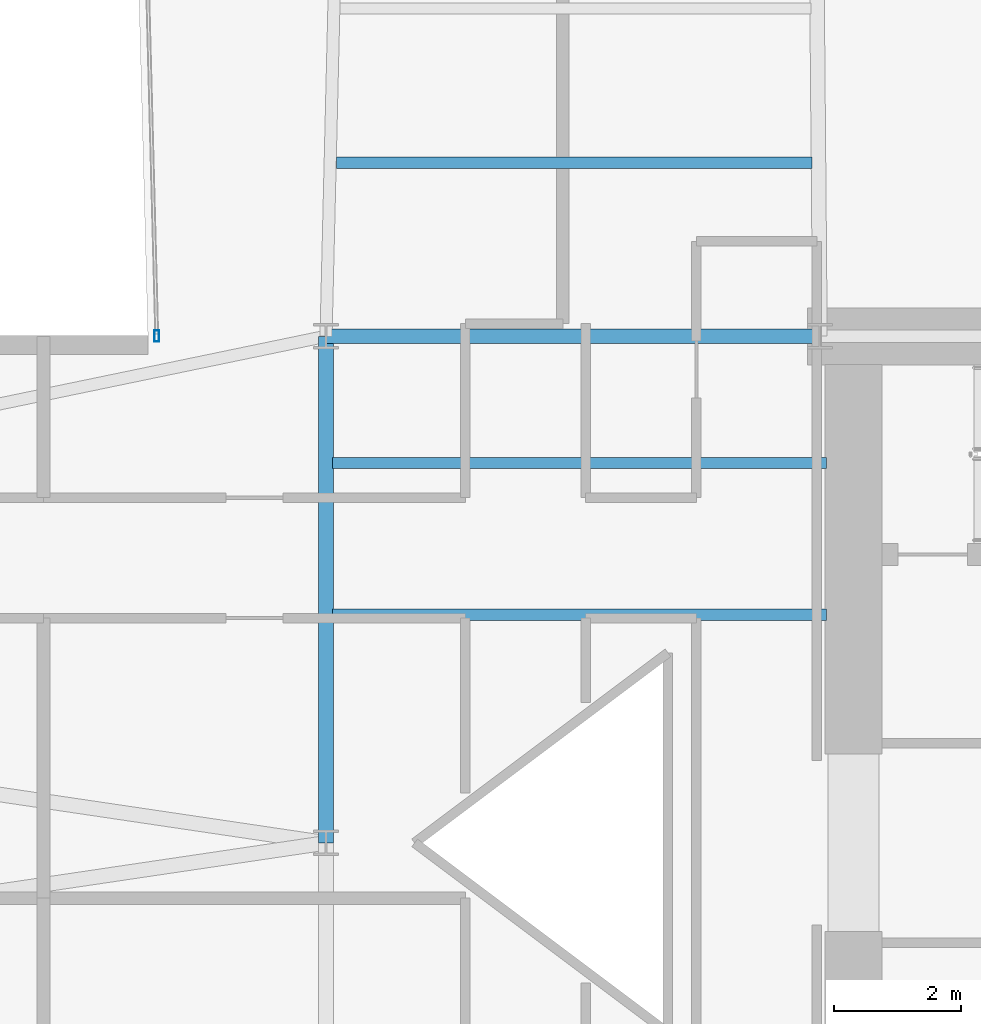
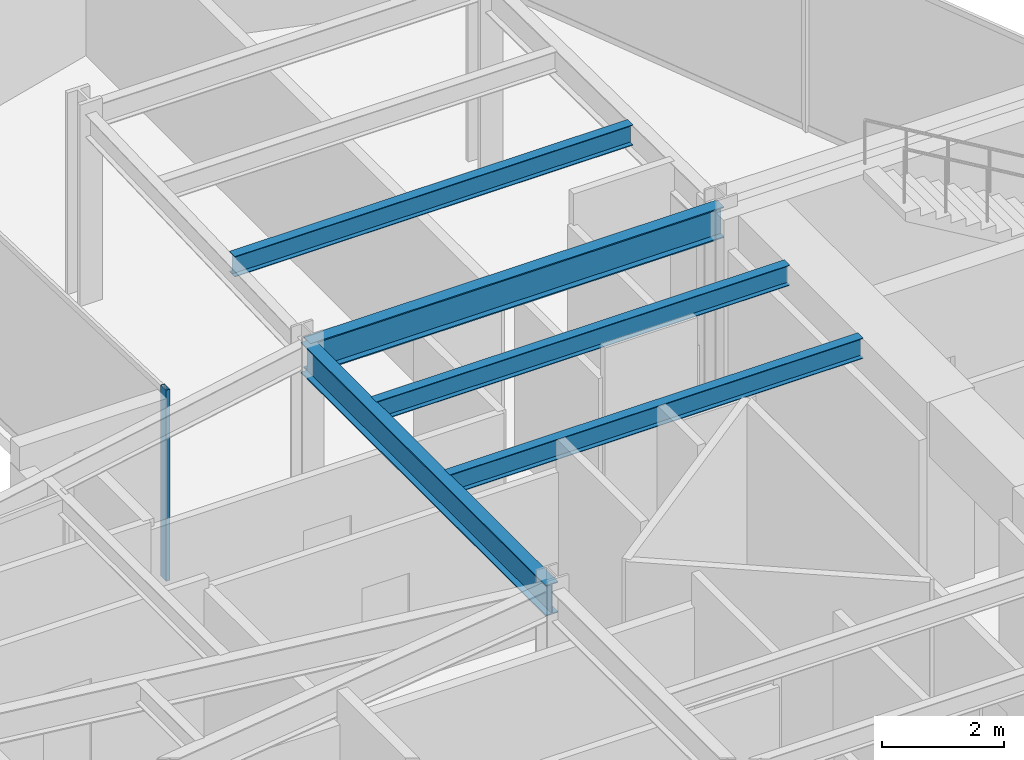
# One storey, part 13 of 29: 5 beams, 1 member, 1 element without a shape of its own.
"""IFC4 building model written with IfcOpenShell, lengths in metres."""

from ifc_helpers import new_model, si_unit, direction, frame, origin, origin_2d, place, context, subcontext, project, spatial, hollow_rectangle, i_section, extrude, material, layer, layer_set, material_profile, profile_set, type_object, element, aggregate, save


model = new_model("IFC4")

# Units and contexts
model_context = context("Model", 3, precision=1e-05, world=origin(), true_north=direction((0.0, 1.0)))
body_context = subcontext(model_context, "Body", "Model", "MODEL_VIEW")
ifc_project = project(units=[si_unit("LENGTHUNIT", "METRE"), si_unit("AREAUNIT", "SQUARE_METRE"), si_unit("VOLUMEUNIT", "CUBIC_METRE"), si_unit("PLANEANGLEUNIT", "RADIAN"), si_unit("MASSUNIT", "GRAM", prefix="KILO")], contexts=[model_context])

# Site, building, storey
site_placement = place(None, origin())
site = spatial("IfcSite", under=ifc_project, at=site_placement, CompositionType="ELEMENT")
building_placement = place(site_placement, origin())
building = spatial("IfcBuilding", under=site, at=building_placement, Name="Veymaron Broadcast Tower", CompositionType="ELEMENT")
storey_placement = place(building_placement, frame((0.0, 0.0, 62.10009765625)))
storey = spatial("IfcBuildingStorey", under=building, at=storey_placement, Name="L13", CompositionType="ELEMENT", Elevation=62.10009765625)

# Beams
ifc_material_1 = material(Name="Structural steel ASTM A992 Gr 50", Category="steel")
ifc_material_profile_1 = material_profile(ifc_material_1, i_section(OverallWidth=0.22998046875, OverallDepth=0.616943359375, WebThickness=0.01318359375, FlangeThickness=0.022216796875, at=origin_2d()), Name="W610X140")
ifc_profile_set_1 = profile_set([ifc_material_profile_1], Name="Structural steel ASTM A992 Gr 50")
beam_type_1 = type_object("IfcBeamType", Name="BM-FG1", PredefinedType="BEAM", material=ifc_profile_set_1)
beam_1_placement = place(storey_placement, frame((31.199951171875, 24.0, 3.50146484375), z_axis=(0.0, 1.0, 0.0), x_axis=(-1.0, 0.0, 0.0)))
element("IfcBeam", 1, at=beam_1_placement, inside=storey, type_object=beam_type_1, Name="L13 primary structural floor girder", PredefinedType="BEAM", context=body_context, shape_type="SweptSolid", body=[
    extrude(i_section(OverallWidth=0.22998046875, OverallDepth=0.616943359375, WebThickness=0.01318359375, FlangeThickness=0.022216796875, at=origin_2d()), origin(), (0.0, 0.0, 1.0), 8.0),
])
beam_2_placement = place(storey_placement, frame((31.199951171875, 32.0, 3.50146484375), z_axis=(1.0, 0.0, 0.0), x_axis=(0.0, 1.0, 0.0)))
element("IfcBeam", 2, at=beam_2_placement, inside=storey, type_object=beam_type_1, Name="L13 primary structural floor girder", PredefinedType="BEAM", context=body_context, shape_type="SweptSolid", body=[
    extrude(i_section(OverallWidth=0.22998046875, OverallDepth=0.616943359375, WebThickness=0.01318359375, FlangeThickness=0.022216796875, at=origin_2d()), origin(), (0.0, 0.0, 1.0), 7.800048828125),
])
ifc_material_profile_2 = material_profile(ifc_material_1, i_section(OverallWidth=0.177978515625, OverallDepth=0.406982421875, WebThickness=0.0078125, FlangeThickness=0.0126953125, at=origin_2d()), Name="W410X60")
ifc_profile_set_2 = profile_set([ifc_material_profile_2], Name="Structural steel ASTM A992 Gr 50")
beam_type_2 = type_object("IfcBeamType", Name="BM-JS1", PredefinedType="JOIST", material=ifc_profile_set_2)
beam_3_placement = place(storey_placement, frame((31.365478515625, 34.739501953125, 3.6064453125), z_axis=(1.0, 0.0, 0.0), x_axis=(0.0, 1.0, 0.0)))
element("IfcBeam", 3, at=beam_3_placement, inside=storey, type_object=beam_type_2, Name="L13 Arm-B secondary joist 1", PredefinedType="JOIST", context=body_context, shape_type="SweptSolid", body=[
    extrude(i_section(OverallWidth=0.177978515625, OverallDepth=0.406982421875, WebThickness=0.0078125, FlangeThickness=0.0126953125, at=origin_2d()), origin(), (0.0, 0.0, 1.0), 7.51123046875),
])
for number, where, z_axis, x_axis, name in (
    (4, (31.300048828125, 27.60009765625, 3.6064453125), (1.0, 0.0, 0.0), (0.0, 1.0, 0.0), "L13 Hub secondary joist 3"),
    (5, (31.300048828125, 30.0, 3.6064453125), (1.0, 0.0, 0.0), (0.0, 1.0, 0.0), "L13 Hub secondary joist 4"),
):
    element("IfcBeam", number, at=place(storey_placement, frame(where, z_axis=z_axis, x_axis=x_axis)), inside=storey, type_object=beam_type_2, Name=name, PredefinedType="JOIST", context=body_context, shape_type="SweptSolid", body=[
        extrude(i_section(OverallWidth=0.177978515625, OverallDepth=0.406982421875, WebThickness=0.0078125, FlangeThickness=0.0126953125, at=origin_2d()), origin(), (0.0, 0.0, 1.0), 7.800048828125),
    ])

# Curtain wall, member
ifc_material_2 = material(Name="Anodised aluminium AA 6063-T6 and laminated low-E dark glass", Category="aluminium")
ifc_layer = layer(ifc_material_2, 0.179931640625)
ifc_layer_set = layer_set([ifc_layer], Name="Anodised aluminium AA 6063-T6 and laminated low-E dark glass")
curtain_wall_type = type_object("IfcCurtainWallType", Name="CW-SYS-02", PredefinedType="NOTDEFINED", material=ifc_layer_set)
curtain_wall_placement = place(storey_placement, origin())
curtain_wall = element("IfcCurtainWall", 6, at=curtain_wall_placement, inside=storey, type_object=curtain_wall_type, Name="L13 dark-glass curtain wall CW-L13-E8-1", PredefinedType="NOTDEFINED")
ifc_material_3 = material(Name="Anodised aluminium AA 6063-T6", Category="aluminium")
ifc_material_profile_3 = material_profile(ifc_material_3, hollow_rectangle(XDim=0.074951171875, YDim=0.179931640625, WallThickness=0.0048828125, at=origin_2d()), Name="AL180X75X5")
ifc_profile_set_3 = profile_set([ifc_material_profile_3], Name="Anodised aluminium AA 6063-T6")
member_type = type_object("IfcMemberType", Name="CW-MUL-02", PredefinedType="MULLION", material=ifc_profile_set_3)
member_placement = place(storey_placement, frame((28.527099609375, 32.003662109375, 0.0), z_axis=(0.0, 0.0, 1.0), x_axis=(1.0, 0.0, 0.0)))
member = element("IfcMember", 7, at=member_placement, type_object=member_type, Name="CW-L13-E8-1 mullion 2", PredefinedType="MULLION", context=body_context, shape_type="SweptSolid", body=[
    extrude(hollow_rectangle(XDim=0.074951171875, YDim=0.179931640625, WallThickness=0.0048828125, at=origin_2d()), origin(), (0.0, 0.0, 1.0), 3.809814453125),
])
aggregate(curtain_wall, [member])

save(model, "model.ifc")
